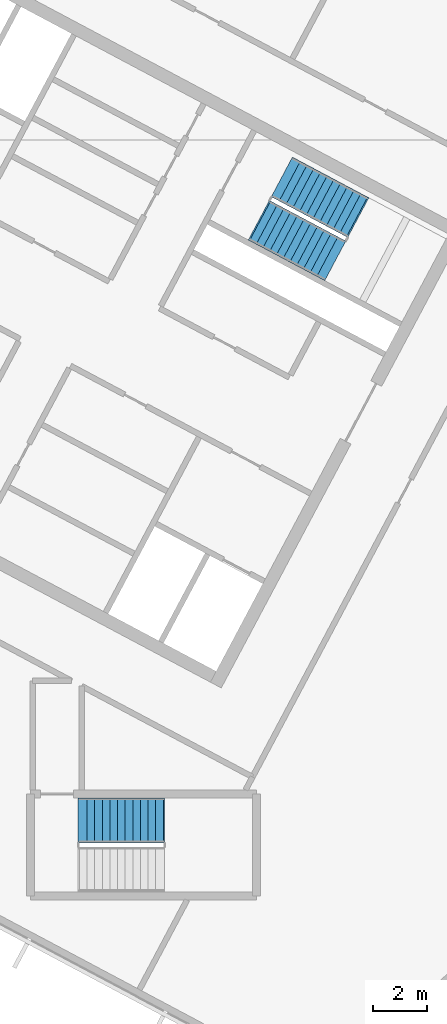
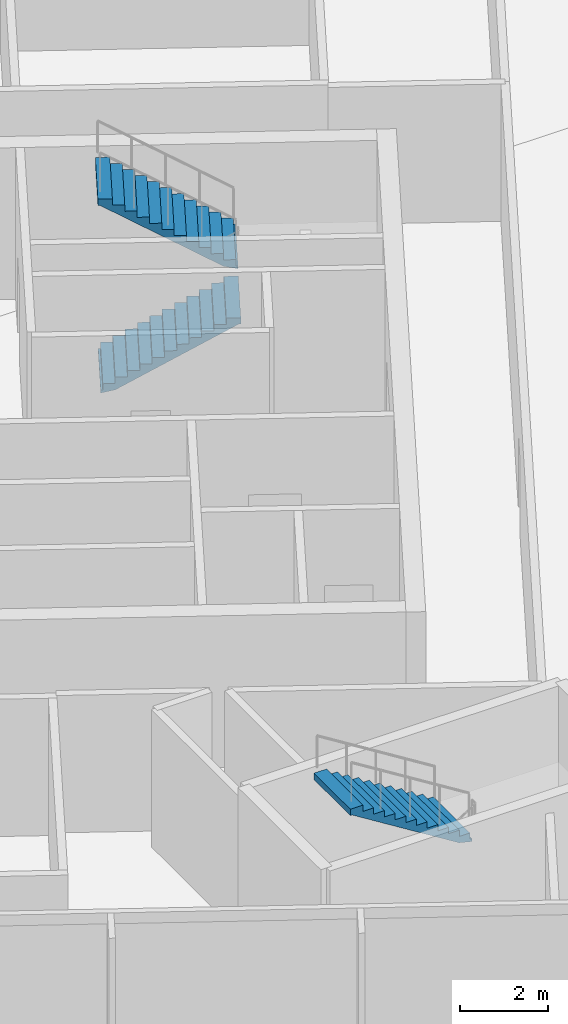
# One storey, part 9 of 16: 3 stair flights, 2 elements without a shape of their own.
"""IFC4 building model written with IfcOpenShell, lengths in metres."""

from ifc_helpers import new_model, si_unit, direction, frame, origin, place, context, subcontext, project, spatial, polyline, outline, extrude, material, type_object, element, aggregate, save


model = new_model("IFC4")

# Units and contexts
model_context = context("Model", 3, precision=1e-05, world=origin(), true_north=direction((0.0, 1.0)))
body_context = subcontext(model_context, "Body", "Model", "MODEL_VIEW")
ifc_project = project(units=[si_unit("LENGTHUNIT", "METRE"), si_unit("AREAUNIT", "SQUARE_METRE"), si_unit("VOLUMEUNIT", "CUBIC_METRE"), si_unit("PLANEANGLEUNIT", "RADIAN"), si_unit("MASSUNIT", "GRAM", prefix="KILO")], contexts=[model_context])

# Site, building, storey
site_placement = place(None, origin())
site = spatial("IfcSite", under=ifc_project, at=site_placement, CompositionType="ELEMENT")
building_placement = place(site_placement, origin())
building = spatial("IfcBuilding", under=site, at=building_placement, Name="Cormorant Relay Tower", CompositionType="ELEMENT")
storey_placement = place(building_placement, frame((0.0, 0.0, 340.800048828125)))
storey = spatial("IfcBuildingStorey", under=building, at=storey_placement, Name="C4", CompositionType="ELEMENT", Elevation=340.800048828125)

# Stair, stair flights
ifc_material_1 = material(Name="Concrete 40 MPa", Category="concrete")
stair_type = type_object("IfcStairType", Name="Exit stair 1500", PredefinedType="HALF_TURN_STAIR", material=ifc_material_1)
stair_1_placement = place(storey_placement, origin())
stair_1 = element("IfcStair", 1, at=stair_1_placement, inside=storey, type_object=stair_type, Name="C4 Stair", PredefinedType="HALF_TURN_STAIR")
ifc_material_2 = material(Name="Concrete 40 MPa", Category="concrete")
stair_flight_type = type_object("IfcStairFlightType", Name="Exit stair flight 1650", PredefinedType="STRAIGHT", material=ifc_material_2)
stair_flight_1_placement = place(storey_placement, frame((-21.114501953125, 18.33349609375, 0.0), z_axis=(0.0, 0.0, 1.0), x_axis=(0.882947592859, -0.469471562786, 0.0)))
stair_flight_1 = element("IfcStairFlight", 2, at=stair_flight_1_placement, type_object=stair_flight_type, Name="A1 flight 1", NumberOfRisers=12, NumberOfTreads=11, PredefinedType="STRAIGHT", RiserHeight=0.175, TreadLength=0.28, context=body_context, shape_type="SweptSolid", body=[
    extrude(outline(polyline([(-0.050048828125, -0.080078125), (-0.050048828125, 0.0), (0.0, 0.0), (0.0, 0.175048828125), (0.280029296875, 0.175048828125), (0.280029296875, 0.35009765625), (0.56005859375, 0.35009765625), (0.56005859375, 0.52490234375), (0.840087890625, 0.52490234375), (0.840087890625, 0.699951171875), (1.1201171875, 0.699951171875), (1.1201171875, 0.875), (1.39990234375, 0.875), (1.39990234375, 1.050048828125), (1.679931640625, 1.050048828125), (1.679931640625, 1.22509765625), (1.9599609375, 1.22509765625), (1.9599609375, 1.39990234375), (2.239990234375, 1.39990234375), (2.239990234375, 1.574951171875), (2.52001953125, 1.574951171875), (2.52001953125, 1.75), (2.800048828125, 1.75), (2.800048828125, 1.925048828125), (3.080078125, 1.925048828125), (3.130126953125, 1.925048828125), (3.130126953125, 1.748291015625), (3.080078125, 1.748291015625), (0.28271484375, 0.0), (-0.050048828125, -0.080078125)])), frame((0.0, 0.824951171875, 0.0), z_axis=(0.0, -1.0, 0.0), x_axis=(1.0, 0.0, 0.0)), (0.0, 0.0, 1.0), 1.64990234375),
])
stair_flight_2_placement = place(storey_placement, frame((-17.5498046875, 18.47705078125, 2.099853515625), z_axis=(0.0, 0.0, 1.0), x_axis=(-0.882947592859, 0.469471562786, 0.0)))
stair_flight_2 = element("IfcStairFlight", 3, at=stair_flight_2_placement, type_object=stair_flight_type, Name="A1 flight 2", NumberOfRisers=12, NumberOfTreads=11, PredefinedType="STRAIGHT", RiserHeight=0.175, TreadLength=0.28, context=body_context, shape_type="SweptSolid", body=[
    extrude(outline(polyline([(-0.050048828125, -0.080078125), (-0.050048828125, 0.0), (0.0, 0.0), (0.0, 0.175048828125), (0.280029296875, 0.175048828125), (0.280029296875, 0.35009765625), (0.56005859375, 0.35009765625), (0.56005859375, 0.52490234375), (0.840087890625, 0.52490234375), (0.840087890625, 0.699951171875), (1.1201171875, 0.699951171875), (1.1201171875, 0.875), (1.39990234375, 0.875), (1.39990234375, 1.050048828125), (1.679931640625, 1.050048828125), (1.679931640625, 1.22509765625), (1.9599609375, 1.22509765625), (1.9599609375, 1.39990234375), (2.239990234375, 1.39990234375), (2.239990234375, 1.574951171875), (2.52001953125, 1.574951171875), (2.52001953125, 1.75), (2.800048828125, 1.75), (2.800048828125, 1.925048828125), (3.080078125, 1.925048828125), (3.130126953125, 1.925048828125), (3.130126953125, 1.748291015625), (3.080078125, 1.748291015625), (0.28271484375, 0.0), (-0.050048828125, -0.080078125)])), frame((0.0, 0.824951171875, 0.0), z_axis=(0.0, -1.0, 0.0), x_axis=(1.0, 0.0, 0.0)), (0.0, 0.0, 1.0), 1.64990234375),
])
aggregate(stair_1, [stair_flight_1, stair_flight_2])

# Stair, stair flight
stair_2_placement = place(storey_placement, origin())
stair_2 = element("IfcStair", 4, at=stair_2_placement, inside=storey, type_object=stair_type, Name="C4 Stair", PredefinedType="HALF_TURN_STAIR")
stair_flight_3_placement = place(storey_placement, frame((-24.669921875, -3.699951171875, 2.099853515625), z_axis=(0.0, 0.0, 1.0), x_axis=(-1.0, 0.0, 0.0)))
stair_flight_3 = element("IfcStairFlight", 5, at=stair_flight_3_placement, type_object=stair_flight_type, Name="RC1 flight 2", NumberOfRisers=12, NumberOfTreads=11, PredefinedType="STRAIGHT", RiserHeight=0.175, TreadLength=0.28, context=body_context, shape_type="SweptSolid", body=[
    extrude(outline(polyline([(-0.050048828125, -0.080078125), (-0.050048828125, 0.0), (0.0, 0.0), (0.0, 0.175048828125), (0.280029296875, 0.175048828125), (0.280029296875, 0.35009765625), (0.56005859375, 0.35009765625), (0.56005859375, 0.52490234375), (0.840087890625, 0.52490234375), (0.840087890625, 0.699951171875), (1.1201171875, 0.699951171875), (1.1201171875, 0.875), (1.39990234375, 0.875), (1.39990234375, 1.050048828125), (1.679931640625, 1.050048828125), (1.679931640625, 1.22509765625), (1.9599609375, 1.22509765625), (1.9599609375, 1.39990234375), (2.239990234375, 1.39990234375), (2.239990234375, 1.574951171875), (2.52001953125, 1.574951171875), (2.52001953125, 1.75), (2.800048828125, 1.75), (2.800048828125, 1.925048828125), (3.080078125, 1.925048828125), (3.130126953125, 1.925048828125), (3.130126953125, 1.748291015625), (3.080078125, 1.748291015625), (0.28271484375, 0.0), (-0.050048828125, -0.080078125)])), frame((0.0, 0.824951171875, 0.0), z_axis=(0.0, -1.0, 0.0), x_axis=(1.0, 0.0, 0.0)), (0.0, 0.0, 1.0), 1.64990234375),
])
aggregate(stair_2, [stair_flight_3])

save(model, "model.ifc")
